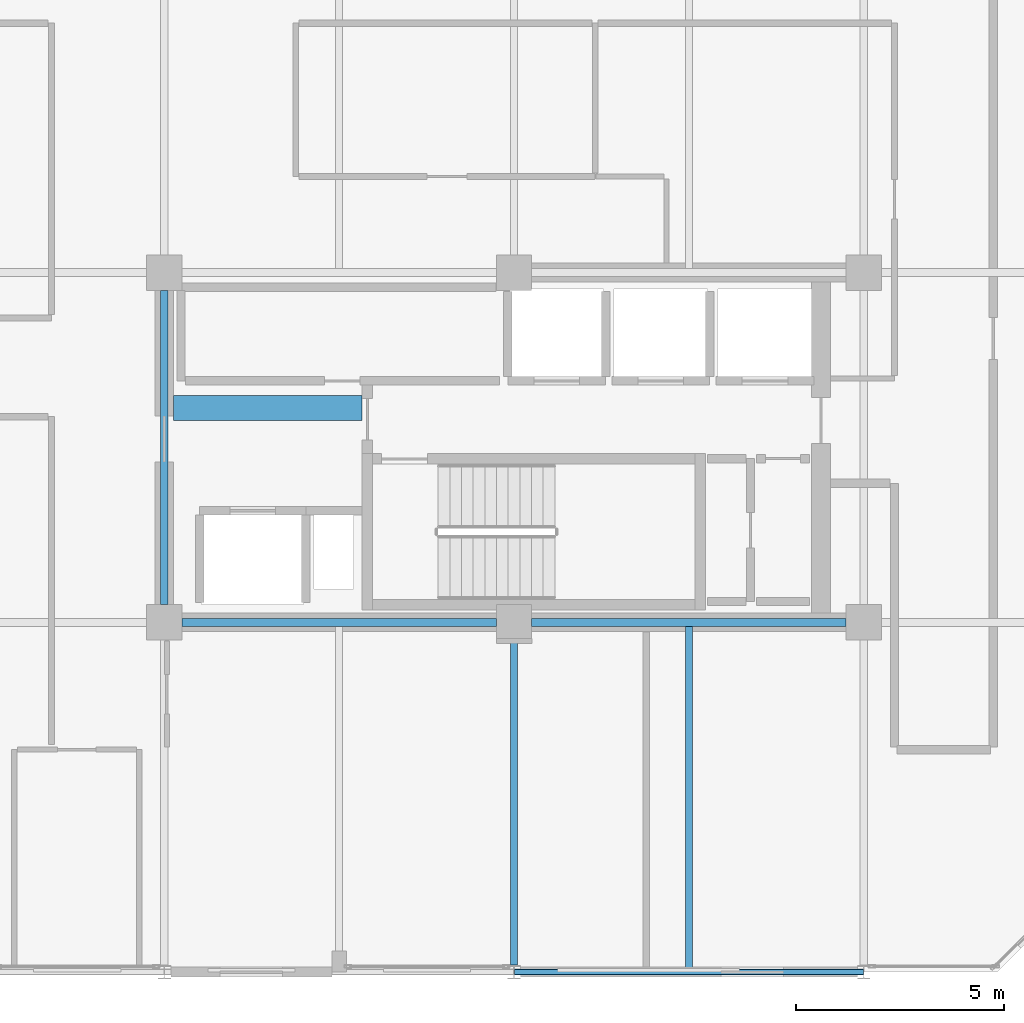
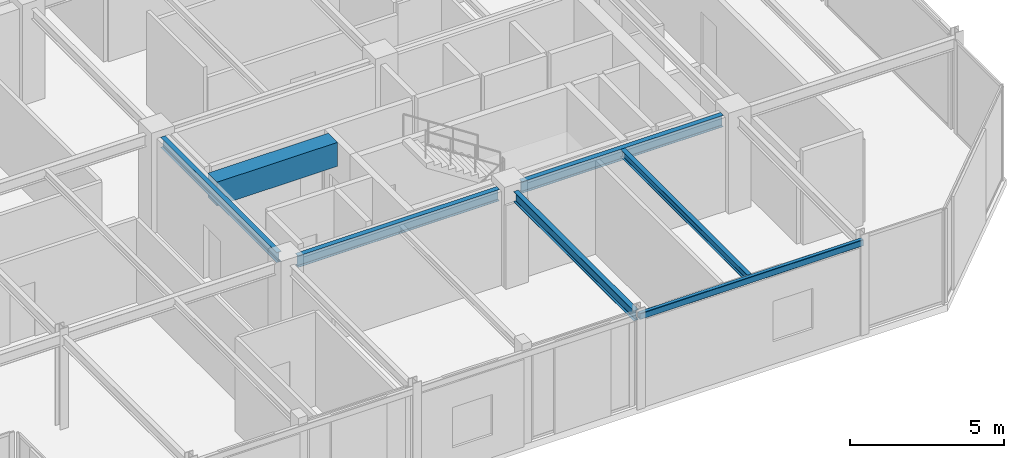
# One storey, part 8 of 26: 7 beams.
"""IFC4 building model written with IfcOpenShell, lengths in metres."""

from ifc_helpers import new_model, si_unit, direction, frame, origin, origin_2d, place, context, subcontext, project, spatial, rectangle, hollow_rectangle, i_section, extrude, material, material_profile, profile_set, type_object, element, save


model = new_model("IFC4")

# Units and contexts
model_context = context("Model", 3, precision=1e-05, world=origin(), true_north=direction((0.0, 1.0)))
body_context = subcontext(model_context, "Body", "Model", "MODEL_VIEW")
ifc_project = project(units=[si_unit("LENGTHUNIT", "METRE"), si_unit("AREAUNIT", "SQUARE_METRE"), si_unit("VOLUMEUNIT", "CUBIC_METRE"), si_unit("PLANEANGLEUNIT", "RADIAN"), si_unit("MASSUNIT", "GRAM", prefix="KILO")], contexts=[model_context])

# Site, building, storey
site_placement = place(None, origin())
site = spatial("IfcSite", under=ifc_project, at=site_placement, CompositionType="ELEMENT")
building_placement = place(site_placement, origin())
building = spatial("IfcBuilding", under=site, at=building_placement, Name="Nerrivon Quay Data Exchange", CompositionType="ELEMENT")
storey_placement = place(building_placement, frame((0.0, 0.0, 270.199951171875)))
storey = spatial("IfcBuildingStorey", under=building, at=storey_placement, Name="L64", CompositionType="ELEMENT", Elevation=270.199951171875)

# Beams
ifc_material_1 = material(Name="Concrete N50 (50 MPa)", Category="concrete")
ifc_material_profile_1 = material_profile(ifc_material_1, rectangle(XDim=0.60009765625, YDim=0.949951171875, at=origin_2d()), Name="RC-CB-600x950")
ifc_profile_set_1 = profile_set([ifc_material_profile_1], Name="Concrete N50 (50 MPa)")
beam_type_1 = type_object("IfcBeamType", Name="BM-CB2-600x950", PredefinedType="LINTEL", material=ifc_profile_set_1)
beam_1_placement = place(storey_placement, frame((17.02490234375, 13.550048828125, 3.25), z_axis=(1.0, 0.0, 0.0), x_axis=(0.0, 1.0, 0.0)))
element("IfcBeam", 1, at=beam_1_placement, inside=storey, type_object=beam_type_1, Name="L64 East Core Coupling Beam", PredefinedType="LINTEL", context=body_context, shape_type="SweptSolid", body=[
    extrude(rectangle(XDim=0.60009765625, YDim=0.949951171875, at=origin_2d()), origin(), (0.0, 0.0, 1.0), 4.530029296875),
])
ifc_material_2 = material(Name="Steel Grade 350", Category="steel")
ifc_material_profile_2 = material_profile(ifc_material_2, i_section(OverallWidth=0.18994140625, OverallDepth=0.4541015625, WebThickness=0.008544921875, FlangeThickness=0.0126953125, FilletRadius=0.011474609375, at=origin_2d()), Name="460UB67.1")
ifc_profile_set_2 = profile_set([ifc_material_profile_2], Name="Steel Grade 350")
beam_type_2 = type_object("IfcBeamType", Name="BM-G6-460UB67", PredefinedType="BEAM", material=ifc_profile_set_2)
beam_2_placement = place(storey_placement, frame((17.22509765625, 8.39990234375, 3.498046875), z_axis=(1.0, 0.0, 0.0), x_axis=(0.0, 1.0, 0.0)))
element("IfcBeam", 2, at=beam_2_placement, inside=storey, type_object=beam_type_2, Name="L64 EW Girder Y=8.4 (16.8..25.2)", PredefinedType="BEAM", context=body_context, shape_type="SweptSolid", body=[
    extrude(i_section(OverallWidth=0.18994140625, OverallDepth=0.4541015625, WebThickness=0.008544921875, FlangeThickness=0.0126953125, FilletRadius=0.011474609375, at=origin_2d()), origin(), (0.0, 0.0, 1.0), 7.5498046875),
])
beam_3_placement = place(storey_placement, frame((25.625, 8.39990234375, 3.498046875), z_axis=(1.0, 0.0, 0.0), x_axis=(0.0, 1.0, 0.0)))
element("IfcBeam", 3, at=beam_3_placement, inside=storey, type_object=beam_type_2, Name="L64 EW Girder Y=8.4 (25.2..33.6)", PredefinedType="BEAM", context=body_context, shape_type="SweptSolid", body=[
    extrude(i_section(OverallWidth=0.18994140625, OverallDepth=0.4541015625, WebThickness=0.008544921875, FlangeThickness=0.0126953125, FilletRadius=0.011474609375, at=origin_2d()), origin(), (0.0, 0.0, 1.0), 7.550048828125),
])
ifc_material_profile_3 = material_profile(ifc_material_2, i_section(OverallWidth=0.177978515625, OverallDepth=0.406005859375, WebThickness=0.0078125, FlangeThickness=0.0126953125, FilletRadius=0.011474609375, at=origin_2d()), Name="410UB59.7")
ifc_profile_set_3 = profile_set([ifc_material_profile_3], Name="Steel Grade 350")
beam_type_3 = type_object("IfcBeamType", Name="BM-J1-410UB60", PredefinedType="JOIST", material=ifc_profile_set_3)
beam_4_placement = place(storey_placement, frame((16.800048828125, 8.824951171875, 3.52197265625), z_axis=(0.0, 1.0, 0.0), x_axis=(-1.0, 0.0, 0.0)))
element("IfcBeam", 4, at=beam_4_placement, inside=storey, type_object=beam_type_3, Name="L64 NS Girder X=16.8 (8.4..16.8)", PredefinedType="JOIST", context=body_context, shape_type="SweptSolid", body=[
    extrude(i_section(OverallWidth=0.177978515625, OverallDepth=0.406005859375, WebThickness=0.0078125, FlangeThickness=0.0126953125, FilletRadius=0.011474609375, at=origin_2d()), origin(), (0.0, 0.0, 1.0), 7.550048828125),
])
beam_5_placement = place(storey_placement, frame((25.199951171875, 0.16357421875, 3.52197265625), z_axis=(0.0, 1.0, 0.0), x_axis=(-1.0, 0.0, 0.0)))
element("IfcBeam", 5, at=beam_5_placement, inside=storey, type_object=beam_type_3, Name="L64 NS Girder X=25.2 (0.0..8.4)", PredefinedType="JOIST", context=body_context, shape_type="SweptSolid", body=[
    extrude(i_section(OverallWidth=0.177978515625, OverallDepth=0.406005859375, WebThickness=0.0078125, FlangeThickness=0.0126953125, FilletRadius=0.011474609375, at=origin_2d()), origin(), (0.0, 0.0, 1.0), 7.8115234375),
])
ifc_material_profile_4 = material_profile(ifc_material_2, i_section(OverallWidth=0.1650390625, OverallDepth=0.303955078125, WebThickness=0.006103515625, FlangeThickness=0.01025390625, FilletRadius=0.011474609375, at=origin_2d()), Name="310UB40.4")
ifc_profile_set_4 = profile_set([ifc_material_profile_4], Name="Steel Grade 350")
beam_type_4 = type_object("IfcBeamType", Name="BM-J6-310UB40", PredefinedType="JOIST", material=ifc_profile_set_4)
beam_6_placement = place(storey_placement, frame((29.39990234375, 0.074951171875, 3.572998046875), z_axis=(0.0, 1.0, 0.0), x_axis=(-1.0, 0.0, 0.0)))
element("IfcBeam", 6, at=beam_6_placement, inside=storey, type_object=beam_type_4, Name="L64 Secondary Joist X=29.4 (0.0..8.4)", PredefinedType="JOIST", context=body_context, shape_type="SweptSolid", body=[
    extrude(i_section(OverallWidth=0.1650390625, OverallDepth=0.303955078125, WebThickness=0.006103515625, FlangeThickness=0.01025390625, FilletRadius=0.011474609375, at=origin_2d()), origin(), (0.0, 0.0, 1.0), 8.22998046875),
])
ifc_material_3 = material(Name="Steel Grade C350L0 (350 MPa)", Category="steel")
ifc_material_profile_5 = material_profile(ifc_material_3, hollow_rectangle(XDim=0.14990234375, YDim=0.25, WallThickness=0.009033203125, InnerFilletRadius=0.013427734375, OuterFilletRadius=0.0224609375, at=origin_2d()), Name="250x150x9.0RHS")
ifc_profile_set_5 = profile_set([ifc_material_profile_5], Name="Steel Grade C350L0 (350 MPa)")
beam_type_5 = type_object("IfcBeamType", Name="BM-SP4-250x150RHS", PredefinedType="SPANDREL", material=ifc_profile_set_5)
beam_7_placement = place(storey_placement, frame((25.2080078125, 0.0, 3.60009765625), z_axis=(1.0, 0.0, 0.0), x_axis=(0.0, 1.0, 0.0)))
element("IfcBeam", 7, at=beam_7_placement, inside=storey, type_object=beam_type_5, Name="L64 EW Girder Y=0.0 (25.2..33.6)", PredefinedType="SPANDREL", context=body_context, shape_type="SweptSolid", body=[
    extrude(hollow_rectangle(XDim=0.14990234375, YDim=0.25, WallThickness=0.009033203125, InnerFilletRadius=0.013427734375, OuterFilletRadius=0.0224609375, at=origin_2d()), origin(), (0.0, 0.0, 1.0), 8.38427734375),
])

save(model, "model.ifc")
